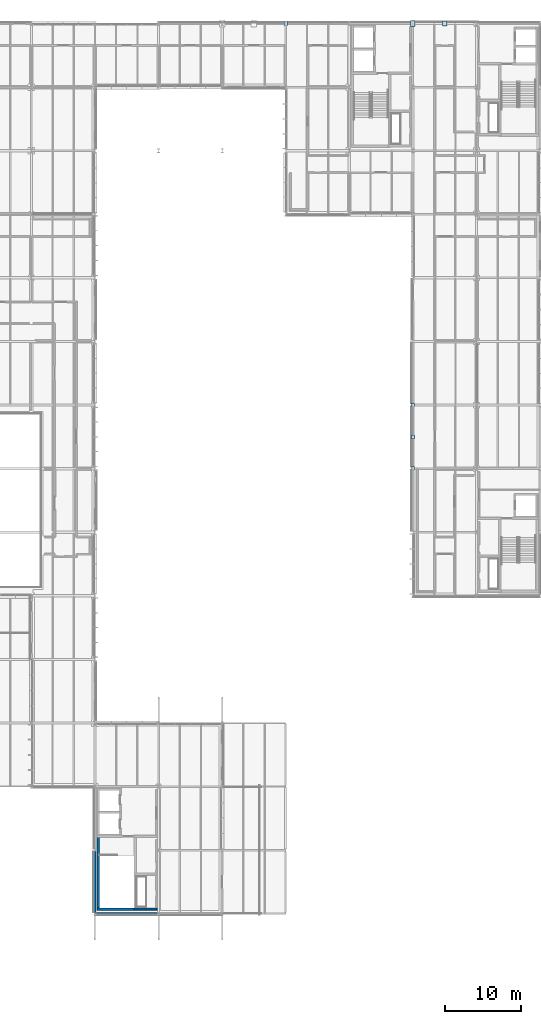
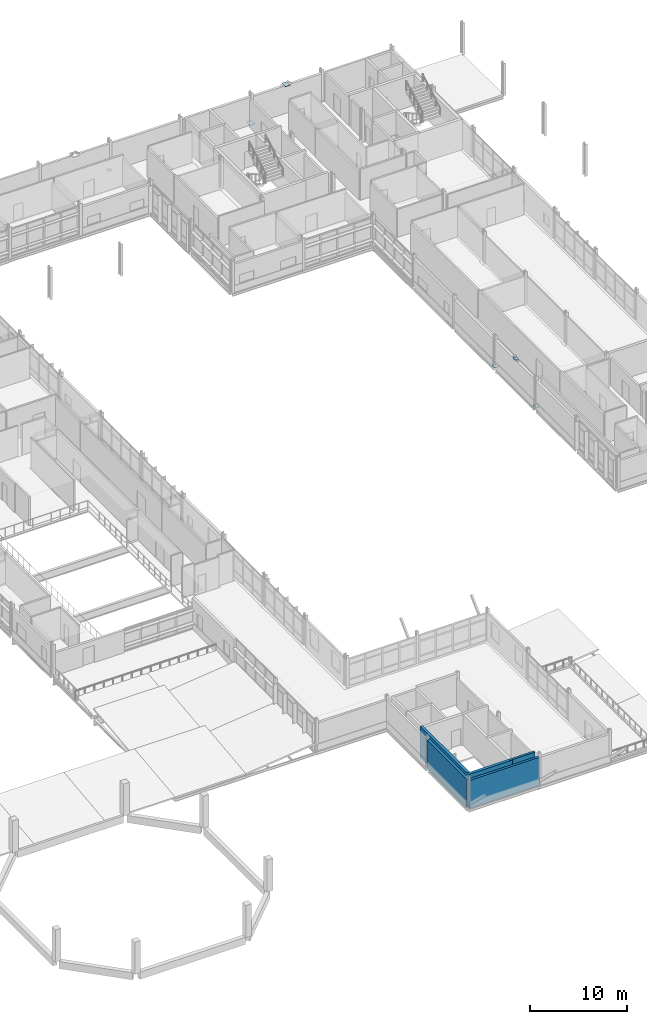
# One storey, part 104 of 131: 6 plates, 5 walls.
"""IFC4 building model written with IfcOpenShell, lengths in metres."""

from ifc_helpers import new_model, si_unit, direction, frame, frame_2d, origin, origin_2d, place, context, subcontext, project, spatial, rectangle, extrude, material, layer, layer_set, type_object, element, save


model = new_model("IFC4")

# Units and contexts
model_context = context("Model", 3, precision=1e-05, world=origin(), true_north=direction((0.0, 1.0)))
body_context = subcontext(model_context, "Body", "Model", "MODEL_VIEW")
ifc_project = project(units=[si_unit("LENGTHUNIT", "METRE"), si_unit("AREAUNIT", "SQUARE_METRE"), si_unit("VOLUMEUNIT", "CUBIC_METRE"), si_unit("PLANEANGLEUNIT", "RADIAN"), si_unit("MASSUNIT", "GRAM", prefix="KILO")], contexts=[model_context])

# Site, building, storey
site_placement = place(None, origin())
site = spatial("IfcSite", under=ifc_project, at=site_placement, CompositionType="ELEMENT")
building_placement = place(site_placement, origin())
building = spatial("IfcBuilding", under=site, at=building_placement, Name="Mersafa Astral City Hall", CompositionType="ELEMENT")
storey_placement = place(building_placement, frame((0.0, 0.0, 13.949951171875)))
storey = spatial("IfcBuildingStorey", under=building, at=storey_placement, Name="L03", CompositionType="ELEMENT", Elevation=13.949951171875)

# Plates
ifc_material_1 = material(Name="Steel S355", Category="steel")
ifc_layer_1 = layer(ifc_material_1, 0.032958984375, Name="Steel S355")
ifc_layer_set_1 = layer_set([ifc_layer_1], Name="Steel S355 — STR-PLT-NP-20")
plate_type_1 = type_object("IfcPlateType", Name="STR-PLT-NP-20", PredefinedType="SHEET", material=ifc_layer_set_1)
plate_1_placement = place(storey_placement, frame((159.60009765625, 71.39990234375, 3.58837890625), z_axis=(0.0, 0.0, 1.0), x_axis=(1.0, 0.0, 0.0)))
element("IfcPlate", 1, at=plate_1_placement, inside=storey, type_object=plate_type_1, Name="L03 Structural steel brace gusset plate NP-20", PredefinedType="SHEET", context=body_context, shape_type="SweptSolid", body=[
    extrude(rectangle(XDim=0.409912109375, YDim=0.510009765625, at=origin_2d()), origin(), (0.0, 0.0, 1.0), 0.032958984375),
])
ifc_layer_2 = layer(ifc_material_1, 0.013916015625, Name="Steel S355")
ifc_layer_set_2 = layer_set([ifc_layer_2], Name="Steel S355 — STR-PLT-NP-21")
plate_type_2 = type_object("IfcPlateType", Name="STR-PLT-NP-21", PredefinedType="SHEET", material=ifc_layer_set_2)
plate_2_placement = place(storey_placement, frame((159.60009765625, 67.197998046875, 0.11328125), z_axis=(0.0, 0.0, 1.0), x_axis=(1.0, 0.0, 0.0)))
element("IfcPlate", 2, at=plate_2_placement, inside=storey, type_object=plate_type_2, Name="L03 Structural steel brace gusset plate NP-21", PredefinedType="SHEET", context=body_context, shape_type="SweptSolid", body=[
    extrude(rectangle(XDim=0.43505859375, YDim=0.5400390625, at=origin_2d()), origin(), (0.0, 0.0, 1.0), 0.013916015625),
])
ifc_layer_3 = layer(ifc_material_1, 0.014892578125, Name="Steel S355")
ifc_layer_set_3 = layer_set([ifc_layer_3], Name="Steel S355 — STR-PLT-NP-22")
plate_type_3 = type_object("IfcPlateType", Name="STR-PLT-NP-22", PredefinedType="SHEET", material=ifc_layer_set_3)
plate_3_placement = place(storey_placement, frame((159.60009765625, 75.60205078125, 0.11279296875), z_axis=(0.0, 0.0, 1.0), x_axis=(1.0, 0.0, 0.0)))
element("IfcPlate", 3, at=plate_3_placement, inside=storey, type_object=plate_type_3, Name="L03 Structural steel brace gusset plate NP-22", PredefinedType="SHEET", context=body_context, shape_type="SweptSolid", body=[
    extrude(rectangle(XDim=0.4599609375, YDim=0.570068359375, at=origin_2d()), origin(), (0.0, 0.0, 1.0), 0.014892578125),
])
ifc_layer_4 = layer(ifc_material_1, 0.02001953125, Name="Steel S355")
ifc_layer_set_4 = layer_set([ifc_layer_4], Name="Steel S355 — STR-PLT-NP-27")
plate_type_4 = type_object("IfcPlateType", Name="STR-PLT-NP-27", PredefinedType="SHEET", material=ifc_layer_set_4)
plate_4_placement = place(storey_placement, frame((163.800048828125, 126.0, 3.505126953125), z_axis=(0.0, 0.0, 1.0), x_axis=(1.0, 0.0, 0.0)))
element("IfcPlate", 4, at=plate_4_placement, inside=storey, type_object=plate_type_4, Name="L03 Structural steel brace gusset plate NP-27", PredefinedType="SHEET", context=body_context, shape_type="SweptSolid", body=[
    extrude(rectangle(XDim=0.5849609375, YDim=0.719970703125, at=origin_2d()), origin(), (0.0, 0.0, 1.0), 0.02001953125),
])
ifc_layer_5 = layer(ifc_material_1, 0.02099609375, Name="Steel S355")
ifc_layer_set_5 = layer_set([ifc_layer_5], Name="Steel S355 — STR-PLT-NP-28")
plate_type_5 = type_object("IfcPlateType", Name="STR-PLT-NP-28", PredefinedType="SHEET", material=ifc_layer_set_5)
plate_5_placement = place(storey_placement, frame((159.597900390625, 126.0, 0.109619140625), z_axis=(0.0, 0.0, 1.0), x_axis=(1.0, 0.0, 0.0)))
element("IfcPlate", 5, at=plate_5_placement, inside=storey, type_object=plate_type_5, Name="L03 Structural steel brace gusset plate NP-28", PredefinedType="SHEET", context=body_context, shape_type="SweptSolid", body=[
    extrude(rectangle(XDim=0.610107421875, YDim=0.75, at=origin_2d()), origin(), (0.0, 0.0, 1.0), 0.02099609375),
])
ifc_layer_6 = layer(ifc_material_1, 0.01708984375, Name="Steel S355")
ifc_layer_set_6 = layer_set([ifc_layer_6], Name="Steel S355 — STR-PLT-NP-4")
plate_type_6 = type_object("IfcPlateType", Name="STR-PLT-NP-4", PredefinedType="SHEET", material=ifc_layer_set_6)
plate_6_placement = place(storey_placement, frame((142.802001953125, 126.0, 0.111572265625), z_axis=(0.0, 0.0, 1.0), x_axis=(1.0, 0.0, 0.0)))
element("IfcPlate", 6, at=plate_6_placement, inside=storey, type_object=plate_type_6, Name="L03 Structural steel brace gusset plate NP-4", PredefinedType="SHEET", context=body_context, shape_type="SweptSolid", body=[
    extrude(rectangle(XDim=0.43505859375, YDim=0.489990234375, at=origin_2d()), origin(), (0.0, 0.0, 1.0), 0.01708984375),
])

# Walls
ifc_material_2 = material(Name="Precast concrete C40/50 insulated limestone wall", Category="masonry")
ifc_layer_7 = layer(ifc_material_2, 0.294921875, Name="Precast concrete C40/50 insulated limestone wall")
ifc_layer_set_7 = layer_set([ifc_layer_7], Name="Precast concrete C40/50 insulated limestone wall — ENV-WAL-EXT-295")
wall_type_1 = type_object("IfcWallType", Name="ENV-WAL-EXT-295", PredefinedType="STANDARD", material=ifc_layer_set_7)
wall_1_placement = place(storey_placement, frame((117.60791015625, 8.39990234375, 0.0), z_axis=(0.0, 0.0, 1.0), x_axis=(1.0, 0.0, 0.0)))
element("IfcWall", 7, at=wall_1_placement, inside=storey, type_object=wall_type_1, Name="L03 Limestone-clad exterior wall 229", PredefinedType="STANDARD", context=body_context, shape_type="SweptSolid", body=[
    extrude(rectangle(XDim=8.384033203125, YDim=0.294921875, at=frame_2d((4.19189453125, 0.0))), origin(), (0.0, 0.0, 1.0), 3.51708984375),
])
ifc_layer_8 = layer(ifc_material_2, 0.31005859375, Name="Precast concrete C40/50 insulated limestone wall")
ifc_layer_set_8 = layer_set([ifc_layer_8], Name="Precast concrete C40/50 insulated limestone wall — ENV-WAL-EXT-310")
wall_type_2 = type_object("IfcWallType", Name="ENV-WAL-EXT-310", PredefinedType="STANDARD", material=ifc_layer_set_8)
wall_2_placement = place(storey_placement, frame((117.60009765625, 16.654052734375, 0.0), z_axis=(0.0, 0.0, 1.0), x_axis=(0.0, -1.0, 0.0)))
element("IfcWall", 8, at=wall_2_placement, inside=storey, type_object=wall_type_2, Name="L03 Limestone-clad exterior wall 228", PredefinedType="STANDARD", context=body_context, shape_type="SweptSolid", body=[
    extrude(rectangle(XDim=8.108154296875, YDim=0.31005859375, at=frame_2d((4.05419921875, 0.0))), origin(), (0.0, 0.0, 1.0), 3.5771484375),
])
ifc_material_3 = material(Name="Concrete C40/50", Category="concrete")
ifc_layer_9 = layer(ifc_material_3, 0.260009765625, Name="Concrete C40/50")
ifc_layer_set_9 = layer_set([ifc_layer_9], Name="Concrete C40/50 — INT-WAL-CORE-260")
wall_type_3 = type_object("IfcWallType", Name="INT-WAL-CORE-260", PredefinedType="SHEAR", material=ifc_layer_set_9)
wall_3_placement = place(storey_placement, frame((122.764892578125, 9.02001953125, 0.0), z_axis=(0.0, 0.0, 1.0), x_axis=(1.0, 0.0, 0.0)))
element("IfcWall", 9, at=wall_3_placement, inside=storey, type_object=wall_type_3, Name="L03 Core K5 riser south wall", PredefinedType="SHEAR", context=body_context, shape_type="SweptSolid", body=[
    extrude(rectangle(XDim=3.03515625, YDim=0.260009765625, at=frame_2d((1.517578125, 0.0))), origin(), (0.0, 0.0, 1.0), 3.85009765625),
])
ifc_layer_10 = layer(ifc_material_3, 0.340087890625, Name="Concrete C40/50")
ifc_layer_set_10 = layer_set([ifc_layer_10], Name="Concrete C40/50 — INT-WAL-CORE-340")
wall_type_4 = type_object("IfcWallType", Name="INT-WAL-CORE-340", PredefinedType="SHEAR", material=ifc_layer_set_10)
wall_4_placement = place(storey_placement, frame((118.0048828125, 8.804931640625, 0.0), z_axis=(0.0, 0.0, 1.0), x_axis=(0.0, 1.0, 0.0)))
element("IfcWall", 10, at=wall_4_placement, inside=storey, type_object=wall_type_4, Name="L03 Core K5 stair west shear wall", PredefinedType="SHEAR", context=body_context, shape_type="SweptSolid", body=[
    extrude(rectangle(XDim=9.989990234375, YDim=0.340087890625, at=frame_2d((4.9951171875, 0.0))), origin(), (0.0, 0.0, 1.0), 3.85009765625),
])
wall_5_placement = place(storey_placement, frame((117.8349609375, 8.97509765625, 0.0), z_axis=(0.0, 0.0, 1.0), x_axis=(1.0, 0.0, 0.0)))
element("IfcWall", 11, at=wall_5_placement, inside=storey, type_object=wall_type_4, Name="L03 Core K5 stair south shear wall", PredefinedType="SHEAR", context=body_context, shape_type="SweptSolid", body=[
    extrude(rectangle(XDim=5.25, YDim=0.340087890625, at=frame_2d((2.625, 0.0))), origin(), (0.0, 0.0, 1.0), 3.85009765625),
])

save(model, "model.ifc")
